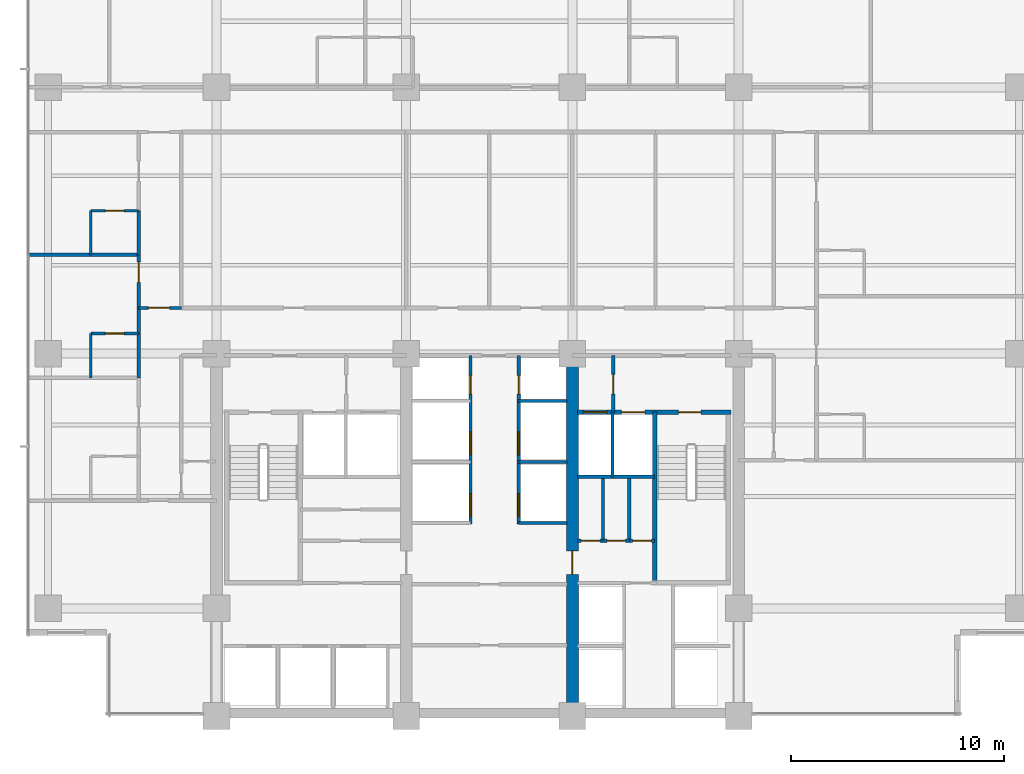
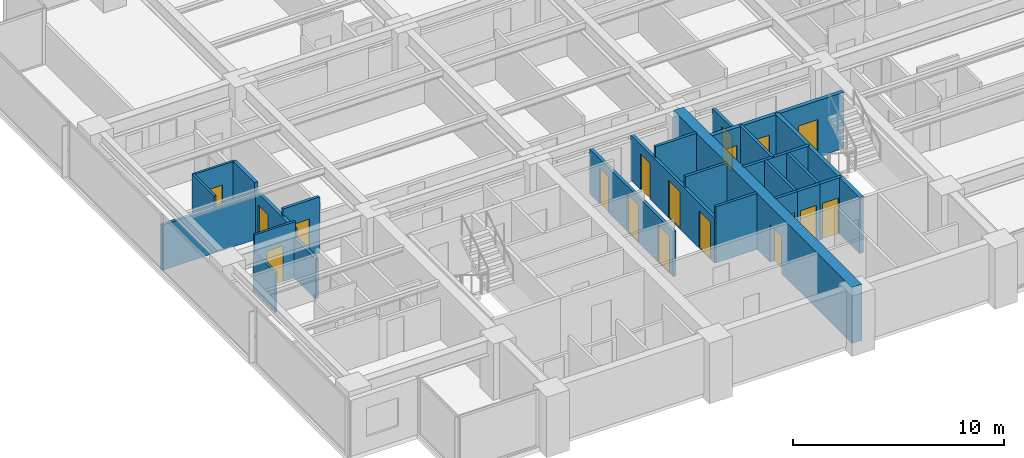
# One storey, part 9 of 17: 25 walls, 18 doors, 18 openings.
"""IFC4 building model written with IfcOpenShell, lengths in metres."""

import ifcopenshell
import ifcopenshell.guid

model = None  # the IFC model being written
_history = None  # IfcOwnerHistory: only IFC2X3 demands one
_inside = {}  # id of a spatial element -> (the spatial element, [elements in it])
_under = {}  # id of a project, library or spatial element -> (it, [spatial elements below it])
_declared = {}  # id of a project -> (the project, [libraries it declares])
_typed = {}  # id of a type object -> (the type object, [elements of that type])
_made_of = {}  # id of a material, layer set ... -> (it, [elements and type objects made of it])


def new_model(schema):
    """Start an empty IFC model of exactly this schema.

    Asked for "IFC4X3", IfcOpenShell would pick the latest addendum, in which some entities
    have other attributes; the version numbers below select the first issue.
    IFC2X3 requires an IfcOwnerHistory on every rooted entity: one is made here for all.
    """
    global model, _history
    if schema == "IFC4X3":
        model = ifcopenshell.file(schema_version=(4, 3, 0, 0))
    else:
        model = ifcopenshell.file(schema=schema)
    _inside.clear()
    _under.clear()
    _declared.clear()
    _typed.clear()
    _made_of.clear()
    _history = None
    if model.schema == "IFC2X3":
        org = make("IfcOrganization", Name="unknown")
        user = make(
            "IfcPersonAndOrganization",
            ThePerson=make("IfcPerson", FamilyName="unknown"),
            TheOrganization=org,
        )
        app = make(
            "IfcApplication",
            ApplicationDeveloper=org,
            Version="unknown",
            ApplicationFullName="unknown",
            ApplicationIdentifier="unknown",
        )
        _history = make(
            "IfcOwnerHistory",
            OwningUser=user,
            OwningApplication=app,
            ChangeAction="ADDED",
            CreationDate=0,
        )
    return model


def make(cls, **values):
    """One entity of the class cls with the attributes given. An attribute that is None is left unset."""
    return model.create_entity(
        cls, **{name: value for name, value in values.items() if value is not None}
    )


def rooted(cls, **values):
    """An entity with a GlobalId (a new one), such as an element, a storey or a relation."""
    return make(cls, GlobalId=ifcopenshell.guid.new(), OwnerHistory=_history, **values)


def si_unit(unit_type, name, prefix=None):
    """IfcSIUnit, for example si_unit("LENGTHUNIT", "METRE", prefix="MILLI")."""
    return make("IfcSIUnit", UnitType=unit_type, Prefix=prefix, Name=name)


def assignment(units):
    """IfcUnitAssignment: the units of a project."""
    return None if units is None else make("IfcUnitAssignment", Units=units)


def point(xyz):
    """IfcCartesianPoint."""
    return None if xyz is None else make("IfcCartesianPoint", Coordinates=xyz)


def direction(xyz):
    """IfcDirection."""
    return None if xyz is None else make("IfcDirection", DirectionRatios=xyz)


def frame(location, z_axis=None, x_axis=None):
    """IfcAxis2Placement3D, a coordinate frame: its origin and axes. An axis left out is left unset."""
    return make(
        "IfcAxis2Placement3D",
        Location=point(location),
        Axis=direction(z_axis),
        RefDirection=direction(x_axis),
    )


def frame_2d(location, x_axis=None):
    """IfcAxis2Placement2D, a coordinate frame in the plane: its origin and x axis."""
    return make(
        "IfcAxis2Placement2D", Location=point(location), RefDirection=direction(x_axis)
    )


def origin():
    """The frame at (0, 0, 0) with its axes left unset."""
    return frame((0.0, 0.0, 0.0))


def place(relative_to, where):
    """IfcLocalPlacement: puts the frame where relative to a parent placement (None: the world)."""
    return make(
        "IfcLocalPlacement", PlacementRelTo=relative_to, RelativePlacement=where
    )


def context(
    kind, dimensions, precision=None, world=None, true_north=None, identifier=None
):
    """IfcGeometricRepresentationContext, for example the 3D "Model" context."""
    return make(
        "IfcGeometricRepresentationContext",
        ContextIdentifier=identifier,
        ContextType=kind,
        CoordinateSpaceDimension=dimensions,
        Precision=precision,
        WorldCoordinateSystem=world,
        TrueNorth=true_north,
    )


def subcontext(parent, identifier, kind, view, scale=None):
    """IfcGeometricRepresentationSubContext, for example "Body" below "Model"."""
    return make(
        "IfcGeometricRepresentationSubContext",
        ContextIdentifier=identifier,
        ContextType=kind,
        ParentContext=parent,
        TargetScale=scale,
        TargetView=view,
    )


def project(units=None, contexts=None):
    """IfcProject with its units and contexts."""
    return rooted(
        "IfcProject",
        Name="project",
        RepresentationContexts=contexts,
        UnitsInContext=assignment(units),
    )


def spatial(cls, under=None, at=None, **own):
    """A site, building, storey or space (cls), placed at a placement, below another one or the project."""
    s = rooted(cls, ObjectPlacement=at, **own)
    if under is not None:
        _under.setdefault(under.id(), (under, []))[1].append(s)
    return s


def profile(cls, at=None, kind="AREA", **sizes):
    """A parametric profile (cls). Its sizes go by their IFC names, for example OverallWidth=200.0."""
    return make(cls, ProfileType=kind, Position=at, **sizes)


def rectangle(**sizes):
    """IfcRectangleProfileDef."""
    return profile("IfcRectangleProfileDef", **sizes)


def extrude(swept, where, along, depth):
    """IfcExtrudedAreaSolid: the profile swept, set in the frame where, extruded along a direction by depth."""
    return make(
        "IfcExtrudedAreaSolid",
        SweptArea=swept,
        Position=where,
        ExtrudedDirection=direction(along),
        Depth=depth,
    )


def shape(context_of_items, identifier, shape_type, items):
    """IfcShapeRepresentation: the items that make up one representation, for example the "Body"."""
    return make(
        "IfcShapeRepresentation",
        ContextOfItems=context_of_items,
        RepresentationIdentifier=identifier,
        RepresentationType=shape_type,
        Items=items,
    )


def material(Name=None, Category=None):
    """IfcMaterial."""
    return make("IfcMaterial", Name=Name, Category=Category)


def layer(
    of_material, thickness, ventilated=None, Name=None, Category=None, Priority=None
):
    """IfcMaterialLayer: one layer of a wall or slab, of a material (None: an air gap)."""
    return make(
        "IfcMaterialLayer",
        Material=of_material,
        LayerThickness=thickness,
        IsVentilated=ventilated,
        Name=Name,
        Category=Category,
        Priority=Priority,
    )


def layer_set(layers, Name=None):
    """IfcMaterialLayerSet."""
    return make("IfcMaterialLayerSet", MaterialLayers=layers, LayerSetName=Name)


def made_of(thing, what):
    """Note that an element or type object is made of a material, layer set ...; save() writes the relation."""
    if what is not None:
        _made_of.setdefault(what.id(), (what, []))[1].append(thing)
    return thing


def type_object(cls, material=None, **own):
    """A type object (cls), such as IfcWallType, which elements share."""
    return made_of(rooted(cls, **own), material)


def element(
    cls,
    number,
    at=None,
    inside=None,
    cuts=None,
    type_object=None,
    material=None,
    context=None,
    identifier="Body",
    shape_type=None,
    held_by="IfcProductDefinitionShape",
    body=None,
    shapes=None,
    **own,
):
    """One element of the class cls, such as IfcWall. Its Tag is "e" and its number.

    at: its placement. inside: the storey or other place that contains it. cuts: it is an
    opening in that element (IfcRelVoidsElement). A single representation is given by context,
    identifier, shape_type and body (its items); several are given by shapes. held_by: the class
    of the entity that holds the representations. save() writes the other relations.
    """
    e = rooted(cls, Tag="e%d" % number, ObjectPlacement=at, **own)
    if body is not None:
        shapes = [shape(context, identifier, shape_type, body)]
    if shapes is not None:
        e.Representation = make(held_by, Representations=shapes)
    if inside is not None:
        _inside.setdefault(inside.id(), (inside, []))[1].append(e)
    if cuts is not None:
        rooted(
            "IfcRelVoidsElement", RelatingBuildingElement=cuts, RelatedOpeningElement=e
        )
    if type_object is not None:
        _typed.setdefault(type_object.id(), (type_object, []))[1].append(e)
    return made_of(e, material)


def fill(opening, filler):
    """IfcRelFillsElement: the door or window that sits in an opening."""
    return rooted(
        "IfcRelFillsElement",
        RelatingOpeningElement=opening,
        RelatedBuildingElement=filler,
    )


def aggregate(whole, parts):
    """IfcRelAggregates: a whole, such as a stair, and the parts it consists of."""
    return rooted("IfcRelAggregates", RelatingObject=whole, RelatedObjects=parts)


def save(model, path):
    """Write the relations noted so far, then the file.

    IfcRelAggregates (storeys below a building ...), IfcRelContainedInSpatialStructure (elements
    in a storey), IfcRelDefinesByType, IfcRelAssociatesMaterial and IfcRelDeclares: one each for
    every whole, place, type object, material and project.
    """
    for whole, parts in _under.values():
        aggregate(whole, parts)
    for where, things in _inside.values():
        rooted(
            "IfcRelContainedInSpatialStructure",
            RelatedElements=things,
            RelatingStructure=where,
        )
    for kind, things in _typed.values():
        rooted("IfcRelDefinesByType", RelatedObjects=things, RelatingType=kind)
    for what, things in _made_of.values():
        rooted("IfcRelAssociatesMaterial", RelatedObjects=things, RelatingMaterial=what)
    for by, libraries in _declared.values():
        rooted("IfcRelDeclares", RelatingContext=by, RelatedDefinitions=libraries)
    model.write(path)


model = new_model("IFC4")

# Units and contexts
model_context = context("Model", 3, precision=1e-05, world=origin(), true_north=direction((0.0, 1.0)))
body_context = subcontext(model_context, "Body", "Model", "MODEL_VIEW")
ifc_project = project(units=[si_unit("LENGTHUNIT", "METRE"), si_unit("AREAUNIT", "SQUARE_METRE"), si_unit("VOLUMEUNIT", "CUBIC_METRE"), si_unit("PLANEANGLEUNIT", "RADIAN"), si_unit("MASSUNIT", "GRAM", prefix="KILO")], contexts=[model_context])

# Site, building, storey
site_placement = place(None, origin())
site = spatial("IfcSite", under=ifc_project, at=site_placement, CompositionType="ELEMENT")
building_placement = place(site_placement, origin())
building = spatial("IfcBuilding", under=site, at=building_placement, Name="Qalmaran Belvedere Hotel", CompositionType="ELEMENT")
storey_placement = place(building_placement, frame((0.0, 0.0, 116.199951171875)))
storey = spatial("IfcBuildingStorey", under=building, at=storey_placement, Name="L29", CompositionType="ELEMENT", Elevation=116.199951171875)

# Wall, opening, door
ifc_material_1 = material(Name="Concrete C60/75", Category="concrete")
ifc_layer_1 = layer(ifc_material_1, 0.550048828125, Name="Concrete C60/75")
ifc_layer_set_1 = layer_set([ifc_layer_1], Name="Concrete C60/75")
wall_type_1 = type_object("IfcWallType", Name="WL-CORE-550-C60", PredefinedType="SHEAR", material=ifc_layer_set_1)
wall_1_placement = place(storey_placement, frame((37.0, 3.5, 0.0), z_axis=(0.0, 0.0, 1.0), x_axis=(0.0, 1.0, 0.0)))
wall_1 = element("IfcWall", 1, at=wall_1_placement, inside=storey, type_object=wall_type_1, Name="L29 Core East Spine Shear Wall", PredefinedType="SHEAR", context=body_context, shape_type="SweptSolid", body=[
    extrude(rectangle(XDim=16.89990234375, YDim=0.550048828125, at=frame_2d((8.449951171875, 0.0))), origin(), (0.0, 0.0, 1.0), 3.239990234375),
])
opening_1_placement = place(wall_1_placement, frame((6.64990234375, 0.0, 0.0)))
opening_1 = element("IfcOpeningElement", 2, at=opening_1_placement, cuts=wall_1, Name="Opening FD90", PredefinedType="OPENING", context=body_context, shape_type="SweptSolid", body=[
    extrude(rectangle(XDim=1.10009765625, YDim=2.14990234375, at=frame_2d((0.550048828125, 1.074951171875))), frame((0.0, 0.28515625, 0.0), z_axis=(0.0, -1.0, 0.0), x_axis=(1.0, 0.0, 0.0)), (0.0, 0.0, 1.0), 0.570068359375),
])
ifc_material_2 = material(Name="Steel S355JR", Category="steel")
door_type_1 = type_object("IfcDoorType", Name="DR-FD90-1100X2150", OperationType="NOTDEFINED", PredefinedType="DOOR", material=ifc_material_2)
door_1_placement = place(opening_1_placement, origin())
door_1 = element("IfcDoor", 3, at=door_1_placement, inside=storey, type_object=door_type_1, Name="L29 Core East Cross-Lobby Door", OperationType="SINGLE_SWING_RIGHT", OverallHeight=2.14990234375, OverallWidth=1.10009765625, PredefinedType="DOOR", context=body_context, shape_type="SweptSolid", body=[
    extrude(rectangle(XDim=1.10009765625, YDim=2.14990234375, at=frame_2d((0.550048828125, 1.074951171875))), frame((0.0, 0.02490234375, 0.0), z_axis=(0.0, -1.0, 0.0), x_axis=(1.0, 0.0, 0.0)), (0.0, 0.0, 1.0), 0.050048828125),
])
fill(opening_1, door_1)

ifc_material_3 = material(Name="Moisture-Resistant Gypsum")
ifc_layer_2 = layer(ifc_material_3, 0.1201171875, Name="Moisture-Resistant Gypsum")
ifc_layer_set_2 = layer_set([ifc_layer_2], Name="Moisture-Resistant Gypsum")
wall_type_2 = type_object("IfcWallType", Name="WL-INT-120-BATH", PredefinedType="PARTITIONING", material=ifc_layer_set_2)
wall_2_placement = place(storey_placement, frame((14.39990234375, 21.44677734375, 0.0), z_axis=(0.0, 0.0, 1.0), x_axis=(1.0, 0.0, 0.0)))
wall_2 = element("IfcWall", 4, at=wall_2_placement, inside=storey, type_object=wall_type_2, Name="L29 Partition WL-L29-WBN01", PredefinedType="PARTITIONING", context=body_context, shape_type="SweptSolid", body=[
    extrude(rectangle(XDim=2.25, YDim=0.1201171875, at=frame_2d((1.125, 0.0))), origin(), (0.0, 0.0, 1.0), 3.239990234375),
])
opening_2_placement = place(wall_2_placement, frame((1.56494140625, 0.0, 0.0), z_axis=(0.0, 0.0, 1.0), x_axis=(-1.0, 0.0, 0.0)))
opening_2 = element("IfcOpeningElement", 5, at=opening_2_placement, cuts=wall_2, Name="Opening D-BATH", PredefinedType="OPENING", context=body_context, shape_type="SweptSolid", body=[
    extrude(rectangle(XDim=0.8798828125, YDim=2.080078125, at=frame_2d((0.43994140625, 1.0400390625))), frame((0.0, 0.070068359375, 0.0), z_axis=(0.0, -1.0, 0.0), x_axis=(1.0, 0.0, 0.0)), (0.0, 0.0, 1.0), 0.14013671875),
])
ifc_material_4 = material(Name="Engineered Oak Veneer")
door_type_2 = type_object("IfcDoorType", Name="DR-INT-BATH-880X2080", OperationType="NOTDEFINED", PredefinedType="DOOR", material=ifc_material_4)
door_2_placement = place(opening_2_placement, origin())
door_2 = element("IfcDoor", 6, at=door_2_placement, inside=storey, type_object=door_type_2, Name="L29 W Ensuite Door 02", OperationType="SINGLE_SWING_RIGHT", OverallHeight=2.080078125, OverallWidth=0.8798828125, PredefinedType="DOOR", context=body_context, shape_type="SweptSolid", body=[
    extrude(rectangle(XDim=0.8798828125, YDim=2.080078125, at=frame_2d((0.43994140625, 1.0400390625))), frame((0.0, 0.02490234375, 0.0), z_axis=(0.0, -1.0, 0.0), x_axis=(1.0, 0.0, 0.0)), (0.0, 0.0, 1.0), 0.050048828125),
])
fill(opening_2, door_2)

# Wall
wall_3_placement = place(storey_placement, frame((14.39990234375, 19.36669921875, 0.0), z_axis=(0.0, 0.0, 1.0), x_axis=(0.0, 1.0, 0.0)))
element("IfcWall", 7, at=wall_3_placement, inside=storey, type_object=wall_type_2, Name="L29 Partition WL-L29-WBS01", PredefinedType="PARTITIONING", context=body_context, shape_type="SweptSolid", body=[
    extrude(rectangle(XDim=2.080078125, YDim=0.1201171875, at=frame_2d((1.0400390625, 0.0))), origin(), (0.0, 0.0, 1.0), 2.31298828125),
])

# Wall, opening, door
wall_4_placement = place(storey_placement, frame((14.39990234375, 27.21337890625, 0.0), z_axis=(0.0, 0.0, 1.0), x_axis=(1.0, 0.0, 0.0)))
wall_4 = element("IfcWall", 8, at=wall_4_placement, inside=storey, type_object=wall_type_2, Name="L29 Partition WL-L29-WBN02", PredefinedType="PARTITIONING", context=body_context, shape_type="SweptSolid", body=[
    extrude(rectangle(XDim=2.25, YDim=0.1201171875, at=frame_2d((1.125, 0.0))), origin(), (0.0, 0.0, 1.0), 3.239990234375),
])
opening_3_placement = place(wall_4_placement, frame((1.56494140625, 0.0, 0.0), z_axis=(0.0, 0.0, 1.0), x_axis=(-1.0, 0.0, 0.0)))
opening_3 = element("IfcOpeningElement", 9, at=opening_3_placement, cuts=wall_4, Name="Opening D-BATH", PredefinedType="OPENING", context=body_context, shape_type="SweptSolid", body=[
    extrude(rectangle(XDim=0.8798828125, YDim=2.080078125, at=frame_2d((0.43994140625, 1.0400390625))), frame((0.0, 0.070068359375, 0.0), z_axis=(0.0, -1.0, 0.0), x_axis=(1.0, 0.0, 0.0)), (0.0, 0.0, 1.0), 0.14013671875),
])
door_3_placement = place(opening_3_placement, origin())
door_3 = element("IfcDoor", 10, at=door_3_placement, inside=storey, type_object=door_type_2, Name="L29 W Ensuite Door 03", OperationType="SINGLE_SWING_RIGHT", OverallHeight=2.080078125, OverallWidth=0.8798828125, PredefinedType="DOOR", context=body_context, shape_type="SweptSolid", body=[
    extrude(rectangle(XDim=0.8798828125, YDim=2.080078125, at=frame_2d((0.43994140625, 1.0400390625))), frame((0.0, 0.02490234375, 0.0), z_axis=(0.0, -1.0, 0.0), x_axis=(1.0, 0.0, 0.0)), (0.0, 0.0, 1.0), 0.050048828125),
])
fill(opening_3, door_3)

# Walls
wall_5_placement = place(storey_placement, frame((14.39990234375, 25.13330078125, 0.0), z_axis=(0.0, 0.0, 1.0), x_axis=(0.0, 1.0, 0.0)))
element("IfcWall", 11, at=wall_5_placement, inside=storey, type_object=wall_type_2, Name="L29 Partition WL-L29-WBS02", PredefinedType="PARTITIONING", context=body_context, shape_type="SweptSolid", body=[
    extrude(rectangle(XDim=2.080078125, YDim=0.1201171875, at=frame_2d((1.0400390625, 0.0))), origin(), (0.0, 0.0, 1.0), 3.239990234375),
])
ifc_material_5 = material(Name="Gypsum Stud Partition")
ifc_layer_3 = layer(ifc_material_5, 0.14990234375, Name="Gypsum Stud Partition")
ifc_layer_set_3 = layer_set([ifc_layer_3], Name="Gypsum Stud Partition")
wall_type_3 = type_object("IfcWallType", Name="WL-INT-150-EI120", PredefinedType="PARTITIONING", material=ifc_layer_set_3)
wall_6_placement = place(storey_placement, frame((38.8798828125, 14.719970703125, 0.0), z_axis=(0.0, 0.0, 1.0), x_axis=(0.0, 1.0, 0.0)))
element("IfcWall", 12, at=wall_6_placement, inside=storey, type_object=wall_type_3, Name="L29 Partition WL-FF2M-L29", PredefinedType="PARTITIONING", context=body_context, shape_type="SweptSolid", body=[
    extrude(rectangle(XDim=3.0400390625, YDim=0.14990234375, at=frame_2d((1.52001953125, 0.0))), origin(), (0.0, 0.0, 1.0), 3.239990234375),
])
for number, where, z_axis, x_axis, name in (
    (13, (34.47998046875, 12.550048828125, 0.0), (0.0, 0.0, 1.0), (1.0, 0.0, 0.0), "L29 Partition WL-PME-L29-125"),
    (14, (34.47998046875, 15.419921875, 0.0), (0.0, 0.0, 1.0), (1.0, 0.0, 0.0), "L29 Partition WL-PME-L29-154"),
    (15, (34.47998046875, 18.280029296875, 0.0), (0.0, 0.0, 1.0), (1.0, 0.0, 0.0), "L29 Partition WL-PME-L29-182"),
):
    element("IfcWall", number, at=place(storey_placement, frame(where, z_axis=z_axis, x_axis=x_axis)), inside=storey, type_object=wall_type_3, Name=name, PredefinedType="PARTITIONING", context=body_context, shape_type="SweptSolid", body=[
        extrude(rectangle(XDim=2.27001953125, YDim=0.14990234375, at=frame_2d((1.135009765625, 0.0))), origin(), (0.0, 0.0, 1.0), 3.239990234375),
    ])
ifc_layer_4 = layer(ifc_material_5, 0.14990234375, Name="Gypsum Stud Partition")
ifc_layer_set_4 = layer_set([ifc_layer_4], Name="Gypsum Stud Partition")
wall_type_4 = type_object("IfcWallType", Name="WL-INT-150-EI60", PredefinedType="PARTITIONING", material=ifc_layer_set_4)
for number, where, z_axis, x_axis, name in (
    (16, (38.44140625, 11.719970703125, 0.0), (0.0, 0.0, 1.0), (0.0, 1.0, 0.0), "L29 Partition WL-L29-KEV1"),
    (17, (39.668701171875, 11.719970703125, 0.0), (0.0, 0.0, 1.0), (0.0, 1.0, 0.0), "L29 Partition WL-L29-KEV2"),
):
    element("IfcWall", number, at=place(storey_placement, frame(where, z_axis=z_axis, x_axis=x_axis)), inside=storey, type_object=wall_type_4, Name=name, PredefinedType="PARTITIONING", context=body_context, shape_type="SweptSolid", body=[
        extrude(rectangle(XDim=2.929931640625, YDim=0.14990234375, at=frame_2d((1.46484375, 0.0))), origin(), (0.0, 0.0, 1.0), 3.239990234375),
    ])

# Wall, opening, door
wall_7_placement = place(storey_placement, frame((16.64990234375, 22.64990234375, 0.0), z_axis=(0.0, 0.0, 1.0), x_axis=(1.0, 0.0, 0.0)))
wall_7 = element("IfcWall", 18, at=wall_7_placement, inside=storey, type_object=wall_type_4, Name="L29 Partition WL-L29-XCW1", PredefinedType="PARTITIONING", context=body_context, shape_type="SweptSolid", body=[
    extrude(rectangle(XDim=2.0, YDim=0.14990234375, at=frame_2d((1.0, 0.0))), origin(), (0.0, 0.0, 1.0), 3.239990234375),
])
opening_4_placement = place(wall_7_placement, frame((0.449951171875, 0.0, 0.0)))
opening_4 = element("IfcOpeningElement", 19, at=opening_4_placement, cuts=wall_7, Name="Opening FD90B", PredefinedType="OPENING", context=body_context, shape_type="SweptSolid", body=[
    extrude(rectangle(XDim=1.0, YDim=2.14990234375, at=frame_2d((0.5, 1.074951171875))), frame((0.0, 0.0849609375, 0.0), z_axis=(0.0, -1.0, 0.0), x_axis=(1.0, 0.0, 0.0)), (0.0, 0.0, 1.0), 0.169921875),
])
door_type_3 = type_object("IfcDoorType", Name="DR-FD90B-1000X2150", OperationType="NOTDEFINED", PredefinedType="DOOR", material=ifc_material_2)
door_4_placement = place(opening_4_placement, origin())
door_4 = element("IfcDoor", 20, at=door_4_placement, inside=storey, type_object=door_type_3, Name="L29 West Corridor Smoke Door S", OperationType="SINGLE_SWING_LEFT", OverallHeight=2.14990234375, OverallWidth=1.0, PredefinedType="DOOR", context=body_context, shape_type="SweptSolid", body=[
    extrude(rectangle(XDim=1.0, YDim=2.14990234375, at=frame_2d((0.5, 1.074951171875))), frame((0.0, 0.02490234375, 0.0), z_axis=(0.0, -1.0, 0.0), x_axis=(1.0, 0.0, 0.0)), (0.0, 0.0, 1.0), 0.050048828125),
])
fill(opening_4, door_4)

ifc_layer_5 = layer(ifc_material_5, 0.159912109375, Name="Gypsum Stud Partition")
ifc_layer_set_5 = layer_set([ifc_layer_5], Name="Gypsum Stud Partition")
wall_type_5 = type_object("IfcWallType", Name="WL-INT-160-EI120", PredefinedType="PARTITIONING", material=ifc_layer_set_5)
wall_8_placement = place(storey_placement, frame((38.919921875, 17.760009765625, 0.0), z_axis=(0.0, 0.0, 1.0), x_axis=(0.0, 1.0, 0.0)))
wall_8 = element("IfcWall", 21, at=wall_8_placement, inside=storey, type_object=wall_type_5, Name="L29 Partition WL-FFSV2-L29", PredefinedType="PARTITIONING", context=body_context, shape_type="SweptSolid", body=[
    extrude(rectangle(XDim=2.659912109375, YDim=0.159912109375, at=frame_2d((1.330078125, 0.0))), origin(), (0.0, 0.0, 1.0), 2.614013671875),
])
opening_5_placement = place(wall_8_placement, frame((1.77001953125, 0.0, 0.0), z_axis=(0.0, 0.0, 1.0), x_axis=(-1.0, 0.0, 0.0)))
opening_5 = element("IfcOpeningElement", 22, at=opening_5_placement, cuts=wall_8, Name="Opening FD60S1", PredefinedType="OPENING", context=body_context, shape_type="SweptSolid", body=[
    extrude(rectangle(XDim=0.919921875, YDim=2.080078125, at=frame_2d((0.4599609375, 1.0400390625))), frame((0.0, 0.08984375, 0.0), z_axis=(0.0, -1.0, 0.0), x_axis=(1.0, 0.0, 0.0)), (0.0, 0.0, 1.0), 0.179931640625),
])
door_type_4 = type_object("IfcDoorType", Name="DR-FD60S-920X2080", OperationType="NOTDEFINED", PredefinedType="DOOR", material=ifc_material_4)
door_5_placement = place(opening_5_placement, origin())
door_5 = element("IfcDoor", 23, at=door_5_placement, inside=storey, type_object=door_type_4, Name="L29 Service Lobby East Door", OperationType="SINGLE_SWING_RIGHT", OverallHeight=2.080078125, OverallWidth=0.919921875, PredefinedType="DOOR", context=body_context, shape_type="SweptSolid", body=[
    extrude(rectangle(XDim=0.919921875, YDim=2.080078125, at=frame_2d((0.4599609375, 1.0400390625))), frame((0.0, 0.02490234375, 0.0), z_axis=(0.0, -1.0, 0.0), x_axis=(1.0, 0.0, 0.0)), (0.0, 0.0, 1.0), 0.050048828125),
])
fill(opening_5, door_5)

# Wall
wall_9_placement = place(storey_placement, frame((37.25, 14.719970703125, 0.0), z_axis=(0.0, 0.0, 1.0), x_axis=(1.0, 0.0, 0.0)))
element("IfcWall", 24, at=wall_9_placement, inside=storey, type_object=wall_type_5, Name="L29 Partition WL-FF2S-L29", PredefinedType="PARTITIONING", context=body_context, shape_type="SweptSolid", body=[
    extrude(rectangle(XDim=3.610107421875, YDim=0.159912109375, at=frame_2d((1.80517578125, 0.0))), origin(), (0.0, 0.0, 1.0), 3.239990234375),
])

# Wall, openings, doors
wall_10_placement = place(storey_placement, frame((32.219970703125, 12.5, 0.0), z_axis=(0.0, 0.0, 1.0), x_axis=(0.0, 1.0, 0.0)))
wall_10 = element("IfcWall", 25, at=wall_10_placement, inside=storey, type_object=wall_type_5, Name="L29 Partition WL-CLBWN-L29", PredefinedType="PARTITIONING", context=body_context, shape_type="SweptSolid", body=[
    extrude(rectangle(XDim=7.919921875, YDim=0.159912109375, at=frame_2d((3.9599609375, 0.0))), origin(), (0.0, 0.0, 1.0), 2.614013671875),
])
opening_6_placement = place(wall_10_placement, frame((1.43017578125, 0.0, 0.0), z_axis=(0.0, 0.0, 1.0), x_axis=(-1.0, 0.0, 0.0)))
opening_6 = element("IfcOpeningElement", 26, at=opening_6_placement, cuts=wall_10, Name="Opening LD-P1", PredefinedType="OPENING", context=body_context, shape_type="SweptSolid", body=[
    extrude(rectangle(XDim=1.080078125, YDim=2.159912109375, at=frame_2d((0.5400390625, 1.080078125))), frame((0.0, 0.08984375, 0.0), z_axis=(0.0, -1.0, 0.0), x_axis=(1.0, 0.0, 0.0)), (0.0, 0.0, 1.0), 0.179931640625),
])
opening_7_placement = place(wall_10_placement, frame((4.330078125, 0.0, 0.0), z_axis=(0.0, 0.0, 1.0), x_axis=(-1.0, 0.0, 0.0)))
opening_7 = element("IfcOpeningElement", 27, at=opening_7_placement, cuts=wall_10, Name="Opening LD-P1", PredefinedType="OPENING", context=body_context, shape_type="SweptSolid", body=[
    extrude(rectangle(XDim=1.080078125, YDim=2.159912109375, at=frame_2d((0.5400390625, 1.080078125))), frame((0.0, 0.08984375, 0.0), z_axis=(0.0, -1.0, 0.0), x_axis=(1.0, 0.0, 0.0)), (0.0, 0.0, 1.0), 0.179931640625),
])
opening_8_placement = place(wall_10_placement, frame((6.10009765625, 0.0, 0.0)))
opening_8 = element("IfcOpeningElement", 28, at=opening_8_placement, cuts=wall_10, Name="Opening FD60B", PredefinedType="OPENING", context=body_context, shape_type="SweptSolid", body=[
    extrude(rectangle(XDim=0.8798828125, YDim=2.080078125, at=frame_2d((0.43994140625, 1.0400390625))), frame((0.0, 0.08984375, 0.0), z_axis=(0.0, -1.0, 0.0), x_axis=(1.0, 0.0, 0.0)), (0.0, 0.0, 1.0), 0.179931640625),
])
door_type_5 = type_object("IfcDoorType", Name="DR-FD60B-880X2080", OperationType="NOTDEFINED", PredefinedType="DOOR", material=ifc_material_2)
door_6_placement = place(opening_8_placement, origin())
door_6 = element("IfcDoor", 29, at=door_6_placement, inside=storey, type_object=door_type_5, Name="L29 West Riser Access Door", OperationType="SINGLE_SWING_LEFT", OverallHeight=2.080078125, OverallWidth=0.8798828125, PredefinedType="DOOR", context=body_context, shape_type="SweptSolid", body=[
    extrude(rectangle(XDim=0.8798828125, YDim=2.080078125, at=frame_2d((0.43994140625, 1.0400390625))), frame((0.0, 0.02490234375, 0.0), z_axis=(0.0, -1.0, 0.0), x_axis=(1.0, 0.0, 0.0)), (0.0, 0.0, 1.0), 0.050048828125),
])
fill(opening_8, door_6)
ifc_material_6 = material(Name="Stainless Steel 1.4401", Category="steel")
door_type_6 = type_object("IfcDoorType", Name="DR-LIFT-P1-1080X2160", OperationType="DOUBLE_DOOR_SLIDING", PredefinedType="DOOR", material=ifc_material_6)
door_7_placement = place(opening_6_placement, origin())
door_7 = element("IfcDoor", 30, at=door_7_placement, inside=storey, type_object=door_type_6, Name="L29 PM1 Lift Landing Door", OperationType="DOUBLE_DOOR_SLIDING", OverallHeight=2.159912109375, OverallWidth=1.080078125, PredefinedType="DOOR", context=body_context, shape_type="SweptSolid", body=[
    extrude(rectangle(XDim=1.080078125, YDim=2.159912109375, at=frame_2d((0.5400390625, 1.080078125))), frame((0.0, 0.02490234375, 0.0), z_axis=(0.0, -1.0, 0.0), x_axis=(1.0, 0.0, 0.0)), (0.0, 0.0, 1.0), 0.050048828125),
])
fill(opening_6, door_7)
door_8_placement = place(opening_7_placement, origin())
door_8 = element("IfcDoor", 31, at=door_8_placement, inside=storey, type_object=door_type_6, Name="L29 PM2 Lift Landing Door", OperationType="DOUBLE_DOOR_SLIDING", OverallHeight=2.159912109375, OverallWidth=1.080078125, PredefinedType="DOOR", context=body_context, shape_type="SweptSolid", body=[
    extrude(rectangle(XDim=1.080078125, YDim=2.159912109375, at=frame_2d((0.5400390625, 1.080078125))), frame((0.0, 0.02490234375, 0.0), z_axis=(0.0, -1.0, 0.0), x_axis=(1.0, 0.0, 0.0)), (0.0, 0.0, 1.0), 0.050048828125),
])
fill(opening_7, door_8)

wall_11_placement = place(storey_placement, frame((34.47998046875, 12.5, 0.0), z_axis=(0.0, 0.0, 1.0), x_axis=(0.0, 1.0, 0.0)))
wall_11 = element("IfcWall", 32, at=wall_11_placement, inside=storey, type_object=wall_type_5, Name="L29 Partition WL-CLBEN-L29", PredefinedType="PARTITIONING", context=body_context, shape_type="SweptSolid", body=[
    extrude(rectangle(XDim=7.919921875, YDim=0.159912109375, at=frame_2d((3.9599609375, 0.0))), origin(), (0.0, 0.0, 1.0), 2.614013671875),
])
opening_9_placement = place(wall_11_placement, frame((0.35009765625, 0.0, 0.0)))
opening_9 = element("IfcOpeningElement", 33, at=opening_9_placement, cuts=wall_11, Name="Opening LD-P1", PredefinedType="OPENING", context=body_context, shape_type="SweptSolid", body=[
    extrude(rectangle(XDim=1.080078125, YDim=2.159912109375, at=frame_2d((0.5400390625, 1.080078125))), frame((0.0, 0.08984375, 0.0), z_axis=(0.0, -1.0, 0.0), x_axis=(1.0, 0.0, 0.0)), (0.0, 0.0, 1.0), 0.179931640625),
])
opening_10_placement = place(wall_11_placement, frame((3.25, 0.0, 0.0)))
opening_10 = element("IfcOpeningElement", 34, at=opening_10_placement, cuts=wall_11, Name="Opening LD-P1", PredefinedType="OPENING", context=body_context, shape_type="SweptSolid", body=[
    extrude(rectangle(XDim=1.080078125, YDim=2.159912109375, at=frame_2d((0.5400390625, 1.080078125))), frame((0.0, 0.08984375, 0.0), z_axis=(0.0, -1.0, 0.0), x_axis=(1.0, 0.0, 0.0)), (0.0, 0.0, 1.0), 0.179931640625),
])
opening_11_placement = place(wall_11_placement, frame((6.97998046875, 0.0, 0.0), z_axis=(0.0, 0.0, 1.0), x_axis=(-1.0, 0.0, 0.0)))
opening_11 = element("IfcOpeningElement", 35, at=opening_11_placement, cuts=wall_11, Name="Opening FD60B", PredefinedType="OPENING", context=body_context, shape_type="SweptSolid", body=[
    extrude(rectangle(XDim=0.8798828125, YDim=2.080078125, at=frame_2d((0.43994140625, 1.0400390625))), frame((0.0, 0.08984375, 0.0), z_axis=(0.0, -1.0, 0.0), x_axis=(1.0, 0.0, 0.0)), (0.0, 0.0, 1.0), 0.179931640625),
])
door_9_placement = place(opening_11_placement, origin())
door_9 = element("IfcDoor", 36, at=door_9_placement, inside=storey, type_object=door_type_5, Name="L29 East Riser Access Door", OperationType="SINGLE_SWING_RIGHT", OverallHeight=2.080078125, OverallWidth=0.8798828125, PredefinedType="DOOR", context=body_context, shape_type="SweptSolid", body=[
    extrude(rectangle(XDim=0.8798828125, YDim=2.080078125, at=frame_2d((0.43994140625, 1.0400390625))), frame((0.0, 0.02490234375, 0.0), z_axis=(0.0, -1.0, 0.0), x_axis=(1.0, 0.0, 0.0)), (0.0, 0.0, 1.0), 0.050048828125),
])
fill(opening_11, door_9)
door_10_placement = place(opening_9_placement, origin())
door_10 = element("IfcDoor", 37, at=door_10_placement, inside=storey, type_object=door_type_6, Name="L29 PM3 Lift Landing Door", OperationType="DOUBLE_DOOR_SLIDING", OverallHeight=2.159912109375, OverallWidth=1.080078125, PredefinedType="DOOR", context=body_context, shape_type="SweptSolid", body=[
    extrude(rectangle(XDim=1.080078125, YDim=2.159912109375, at=frame_2d((0.5400390625, 1.080078125))), frame((0.0, 0.02490234375, 0.0), z_axis=(0.0, -1.0, 0.0), x_axis=(1.0, 0.0, 0.0)), (0.0, 0.0, 1.0), 0.050048828125),
])
fill(opening_9, door_10)
door_11_placement = place(opening_10_placement, origin())
door_11 = element("IfcDoor", 38, at=door_11_placement, inside=storey, type_object=door_type_6, Name="L29 PM4 Lift Landing Door", OperationType="DOUBLE_DOOR_SLIDING", OverallHeight=2.159912109375, OverallWidth=1.080078125, PredefinedType="DOOR", context=body_context, shape_type="SweptSolid", body=[
    extrude(rectangle(XDim=1.080078125, YDim=2.159912109375, at=frame_2d((0.5400390625, 1.080078125))), frame((0.0, 0.02490234375, 0.0), z_axis=(0.0, -1.0, 0.0), x_axis=(1.0, 0.0, 0.0)), (0.0, 0.0, 1.0), 0.050048828125),
])
fill(opening_10, door_11)

# Wall, opening, door
ifc_layer_6 = layer(ifc_material_5, 0.159912109375, Name="Gypsum Stud Partition")
ifc_layer_set_6 = layer_set([ifc_layer_6], Name="Gypsum Stud Partition")
wall_type_6 = type_object("IfcWallType", Name="WL-INT-160-EI60", PredefinedType="PARTITIONING", material=ifc_layer_set_6)
wall_12_placement = place(storey_placement, frame((37.25, 11.719970703125, 0.0), z_axis=(0.0, 0.0, 1.0), x_axis=(1.0, 0.0, 0.0)))
wall_12 = element("IfcWall", 39, at=wall_12_placement, inside=storey, type_object=wall_type_6, Name="L29 Partition WL-L29-KEE1", PredefinedType="PARTITIONING", context=body_context, shape_type="SweptSolid", body=[
    extrude(rectangle(XDim=1.19140625, YDim=0.159912109375, at=frame_2d((0.595703125, 0.0))), origin(), (0.0, 0.0, 1.0), 3.239990234375),
])
opening_12_placement = place(wall_12_placement, frame((0.155517578125, 0.0, 0.0)))
opening_12 = element("IfcOpeningElement", 40, at=opening_12_placement, cuts=wall_12, Name="Opening FD60B", PredefinedType="OPENING", context=body_context, shape_type="SweptSolid", body=[
    extrude(rectangle(XDim=0.8798828125, YDim=2.080078125, at=frame_2d((0.43994140625, 1.0400390625))), frame((0.0, 0.08984375, 0.0), z_axis=(0.0, -1.0, 0.0), x_axis=(1.0, 0.0, 0.0)), (0.0, 0.0, 1.0), 0.179931640625),
])
door_12_placement = place(opening_12_placement, origin())
door_12 = element("IfcDoor", 41, at=door_12_placement, inside=storey, type_object=door_type_5, Name="L29 Hotel Linen Closet Door", OperationType="SINGLE_SWING_RIGHT", OverallHeight=2.080078125, OverallWidth=0.8798828125, PredefinedType="DOOR", context=body_context, shape_type="SweptSolid", body=[
    extrude(rectangle(XDim=0.8798828125, YDim=2.080078125, at=frame_2d((0.43994140625, 1.0400390625))), frame((0.0, 0.02490234375, 0.0), z_axis=(0.0, -1.0, 0.0), x_axis=(1.0, 0.0, 0.0)), (0.0, 0.0, 1.0), 0.050048828125),
])
fill(opening_12, door_12)

wall_13_placement = place(storey_placement, frame((38.44140625, 11.719970703125, 0.0), z_axis=(0.0, 0.0, 1.0), x_axis=(1.0, 0.0, 0.0)))
wall_13 = element("IfcWall", 42, at=wall_13_placement, inside=storey, type_object=wall_type_6, Name="L29 Partition WL-L29-KEE2", PredefinedType="PARTITIONING", context=body_context, shape_type="SweptSolid", body=[
    extrude(rectangle(XDim=1.227294921875, YDim=0.159912109375, at=frame_2d((0.61376953125, 0.0))), origin(), (0.0, 0.0, 1.0), 3.239990234375),
])
opening_13_placement = place(wall_13_placement, frame((0.173583984375, 0.0, 0.0)))
opening_13 = element("IfcOpeningElement", 43, at=opening_13_placement, cuts=wall_13, Name="Opening FD60B", PredefinedType="OPENING", context=body_context, shape_type="SweptSolid", body=[
    extrude(rectangle(XDim=0.8798828125, YDim=2.080078125, at=frame_2d((0.43994140625, 1.0400390625))), frame((0.0, 0.08984375, 0.0), z_axis=(0.0, -1.0, 0.0), x_axis=(1.0, 0.0, 0.0)), (0.0, 0.0, 1.0), 0.179931640625),
])
door_13_placement = place(opening_13_placement, origin())
door_13 = element("IfcDoor", 44, at=door_13_placement, inside=storey, type_object=door_type_5, Name="L29 Guest Ice and Beverage Pantry Door", OperationType="SINGLE_SWING_LEFT", OverallHeight=2.080078125, OverallWidth=0.8798828125, PredefinedType="DOOR", context=body_context, shape_type="SweptSolid", body=[
    extrude(rectangle(XDim=0.8798828125, YDim=2.080078125, at=frame_2d((0.43994140625, 1.0400390625))), frame((0.0, 0.02490234375, 0.0), z_axis=(0.0, -1.0, 0.0), x_axis=(1.0, 0.0, 0.0)), (0.0, 0.0, 1.0), 0.050048828125),
])
fill(opening_13, door_13)

wall_14_placement = place(storey_placement, frame((39.668701171875, 11.719970703125, 0.0), z_axis=(0.0, 0.0, 1.0), x_axis=(1.0, 0.0, 0.0)))
wall_14 = element("IfcWall", 45, at=wall_14_placement, inside=storey, type_object=wall_type_6, Name="L29 Partition WL-L29-KEE3", PredefinedType="PARTITIONING", context=body_context, shape_type="SweptSolid", body=[
    extrude(rectangle(XDim=1.19140625, YDim=0.159912109375, at=frame_2d((0.595703125, 0.0))), origin(), (0.0, 0.0, 1.0), 3.239990234375),
])
opening_14_placement = place(wall_14_placement, frame((0.155517578125, 0.0, 0.0)))
opening_14 = element("IfcOpeningElement", 46, at=opening_14_placement, cuts=wall_14, Name="Opening FD60B", PredefinedType="OPENING", context=body_context, shape_type="SweptSolid", body=[
    extrude(rectangle(XDim=0.8798828125, YDim=2.080078125, at=frame_2d((0.43994140625, 1.0400390625))), frame((0.0, 0.08984375, 0.0), z_axis=(0.0, -1.0, 0.0), x_axis=(1.0, 0.0, 0.0)), (0.0, 0.0, 1.0), 0.179931640625),
])
door_14_placement = place(opening_14_placement, origin())
door_14 = element("IfcDoor", 47, at=door_14_placement, inside=storey, type_object=door_type_5, Name="L29 Cleaner Equipment Store Door", OperationType="SINGLE_SWING_RIGHT", OverallHeight=2.080078125, OverallWidth=0.8798828125, PredefinedType="DOOR", context=body_context, shape_type="SweptSolid", body=[
    extrude(rectangle(XDim=0.8798828125, YDim=2.080078125, at=frame_2d((0.43994140625, 1.0400390625))), frame((0.0, 0.02490234375, 0.0), z_axis=(0.0, -1.0, 0.0), x_axis=(1.0, 0.0, 0.0)), (0.0, 0.0, 1.0), 0.050048828125),
])
fill(opening_14, door_14)

# Walls
wall_15_placement = place(storey_placement, frame((11.469970703125, 25.13330078125, 0.0), z_axis=(0.0, 0.0, 1.0), x_axis=(1.0, 0.0, 0.0)))
element("IfcWall", 48, at=wall_15_placement, inside=storey, type_object=wall_type_6, Name="L29 Partition WL-L29-WU01", PredefinedType="PARTITIONING", context=body_context, shape_type="SweptSolid", body=[
    extrude(rectangle(XDim=5.179931640625, YDim=0.159912109375, at=frame_2d((2.58984375, 0.0))), origin(), (0.0, 0.0, 1.0), 2.60302734375),
])
ifc_layer_7 = layer(ifc_material_5, 0.179931640625, Name="Gypsum Stud Partition")
ifc_layer_set_7 = layer_set([ifc_layer_7], Name="Gypsum Stud Partition")
wall_type_7 = type_object("IfcWallType", Name="WL-INT-180-EI60", PredefinedType="PARTITIONING", material=ifc_layer_set_7)
wall_16_placement = place(storey_placement, frame((16.64990234375, 19.36669921875, 0.0), z_axis=(0.0, 0.0, 1.0), x_axis=(0.0, 1.0, 0.0)))
element("IfcWall", 49, at=wall_16_placement, inside=storey, type_object=wall_type_7, Name="L29 Partition WL-L29-WBC01", PredefinedType="PARTITIONING", context=body_context, shape_type="SweptSolid", body=[
    extrude(rectangle(XDim=2.080078125, YDim=0.179931640625, at=frame_2d((1.0400390625, 0.0))), origin(), (0.0, 0.0, 1.0), 2.31298828125),
])

# Wall, opening, door
wall_17_placement = place(storey_placement, frame((16.64990234375, 21.44677734375, 0.0), z_axis=(0.0, 0.0, 1.0), x_axis=(0.0, 1.0, 0.0)))
wall_17 = element("IfcWall", 50, at=wall_17_placement, inside=storey, type_object=wall_type_7, Name="L29 Partition WL-L29-WEC01", PredefinedType="PARTITIONING", context=body_context, shape_type="SweptSolid", body=[
    extrude(rectangle(XDim=3.6865234375, YDim=0.179931640625, at=frame_2d((1.84326171875, 0.0))), origin(), (0.0, 0.0, 1.0), 2.818115234375),
])
opening_15_placement = place(wall_17_placement, frame((2.40185546875, 0.0, 0.0)))
opening_15 = element("IfcOpeningElement", 51, at=opening_15_placement, cuts=wall_17, Name="Opening FD60", PredefinedType="OPENING", context=body_context, shape_type="SweptSolid", body=[
    extrude(rectangle(XDim=0.949951171875, YDim=2.14990234375, at=frame_2d((0.47509765625, 1.074951171875))), frame((0.0, 0.10009765625, 0.0), z_axis=(0.0, -1.0, 0.0), x_axis=(1.0, 0.0, 0.0)), (0.0, 0.0, 1.0), 0.199951171875),
])
door_type_7 = type_object("IfcDoorType", Name="DR-FD60-950X2150", OperationType="NOTDEFINED", PredefinedType="DOOR", material=ifc_material_4)
door_15_placement = place(opening_15_placement, origin())
door_15 = element("IfcDoor", 52, at=door_15_placement, inside=storey, type_object=door_type_7, Name="L29 W Wing Door 02", OperationType="SINGLE_SWING_LEFT", OverallHeight=2.14990234375, OverallWidth=0.949951171875, PredefinedType="DOOR", context=body_context, shape_type="SweptSolid", body=[
    extrude(rectangle(XDim=0.949951171875, YDim=2.14990234375, at=frame_2d((0.47509765625, 1.074951171875))), frame((0.0, 0.02490234375, 0.0), z_axis=(0.0, -1.0, 0.0), x_axis=(1.0, 0.0, 0.0)), (0.0, 0.0, 1.0), 0.050048828125),
])
fill(opening_15, door_15)

# Walls
wall_18_placement = place(storey_placement, frame((16.64990234375, 25.13330078125, 0.0), z_axis=(0.0, 0.0, 1.0), x_axis=(0.0, 1.0, 0.0)))
element("IfcWall", 53, at=wall_18_placement, inside=storey, type_object=wall_type_7, Name="L29 Partition WL-L29-WBC02", PredefinedType="PARTITIONING", context=body_context, shape_type="SweptSolid", body=[
    extrude(rectangle(XDim=2.080078125, YDim=0.179931640625, at=frame_2d((1.0400390625, 0.0))), origin(), (0.0, 0.0, 1.0), 3.239990234375),
])
ifc_material_7 = material(Name="Concrete C50/60", Category="concrete")
ifc_layer_8 = layer(ifc_material_7, 0.2099609375, Name="Concrete C50/60")
ifc_layer_set_8 = layer_set([ifc_layer_8], Name="Concrete C50/60")
wall_type_8 = type_object("IfcWallType", Name="WL-STAIR-210-C50", PredefinedType="SHEAR", material=ifc_layer_set_8)
wall_19_placement = place(storey_placement, frame((40.85498046875, 9.7451171875, 0.0), z_axis=(0.0, 0.0, 1.0), x_axis=(0.0, 1.0, 0.0)))
element("IfcWall", 54, at=wall_19_placement, inside=storey, type_object=wall_type_8, Name="L29 Stair ST-2 West Bearing Wall", PredefinedType="SHEAR", context=body_context, shape_type="SweptSolid", body=[
    extrude(rectangle(XDim=8.009765625, YDim=0.2099609375, at=frame_2d((4.0048828125, 0.0))), origin(), (0.0, 0.0, 1.0), 3.239990234375),
])

# Wall, openings, doors
wall_20_placement = place(storey_placement, frame((37.25, 17.7548828125, 0.0), z_axis=(0.0, 0.0, 1.0), x_axis=(1.0, 0.0, 0.0)))
wall_20 = element("IfcWall", 55, at=wall_20_placement, inside=storey, type_object=wall_type_8, Name="L29 East Lobby and Stair ST-2 North Bearing Wall", PredefinedType="SHEAR", context=body_context, shape_type="SweptSolid", body=[
    extrude(rectangle(XDim=7.199951171875, YDim=0.2099609375, at=frame_2d((3.60009765625, 0.0))), origin(), (0.0, 0.0, 1.0), 3.239990234375),
])
opening_16_placement = place(wall_20_placement, frame((0.25, 0.0, 0.0)))
opening_16 = element("IfcOpeningElement", 56, at=opening_16_placement, cuts=wall_20, Name="Opening LD-SV", PredefinedType="OPENING", context=body_context, shape_type="SweptSolid", body=[
    extrude(rectangle(XDim=1.1201171875, YDim=2.199951171875, at=frame_2d((0.56005859375, 1.10009765625))), frame((0.0, 0.114990234375, 0.0), z_axis=(0.0, -1.0, 0.0), x_axis=(1.0, 0.0, 0.0)), (0.0, 0.0, 1.0), 0.22998046875),
])
opening_17_placement = place(wall_20_placement, frame((2.050048828125, 0.0, 0.0)))
opening_17 = element("IfcOpeningElement", 57, at=opening_17_placement, cuts=wall_20, Name="Opening LD-FF", PredefinedType="OPENING", context=body_context, shape_type="SweptSolid", body=[
    extrude(rectangle(XDim=1.10009765625, YDim=2.179931640625, at=frame_2d((0.550048828125, 1.08984375))), frame((0.0, 0.114990234375, 0.0), z_axis=(0.0, -1.0, 0.0), x_axis=(1.0, 0.0, 0.0)), (0.0, 0.0, 1.0), 0.22998046875),
])
opening_18_placement = place(wall_20_placement, frame((5.780029296875, 0.0, 0.0), z_axis=(0.0, 0.0, 1.0), x_axis=(-1.0, 0.0, 0.0)))
opening_18 = element("IfcOpeningElement", 58, at=opening_18_placement, cuts=wall_20, Name="Opening FD90S2", PredefinedType="OPENING", context=body_context, shape_type="SweptSolid", body=[
    extrude(rectangle(XDim=1.050048828125, YDim=2.14990234375, at=frame_2d((0.52490234375, 1.074951171875))), frame((0.0, 0.114990234375, 0.0), z_axis=(0.0, -1.0, 0.0), x_axis=(1.0, 0.0, 0.0)), (0.0, 0.0, 1.0), 0.22998046875),
])
door_type_8 = type_object("IfcDoorType", Name="DR-FD90S-1050X2150", OperationType="NOTDEFINED", PredefinedType="DOOR", material=ifc_material_2)
door_16_placement = place(opening_18_placement, origin())
door_16 = element("IfcDoor", 59, at=door_16_placement, inside=storey, type_object=door_type_8, Name="L29 Stair ST-2 Door", OperationType="SINGLE_SWING_RIGHT", OverallHeight=2.14990234375, OverallWidth=1.050048828125, PredefinedType="DOOR", context=body_context, shape_type="SweptSolid", body=[
    extrude(rectangle(XDim=1.050048828125, YDim=2.14990234375, at=frame_2d((0.52490234375, 1.074951171875))), frame((0.0, 0.02490234375, 0.0), z_axis=(0.0, -1.0, 0.0), x_axis=(1.0, 0.0, 0.0)), (0.0, 0.0, 1.0), 0.050048828125),
])
fill(opening_18, door_16)
door_type_9 = type_object("IfcDoorType", Name="DR-LIFT-FF-1100X2180", OperationType="DOUBLE_DOOR_SLIDING", PredefinedType="DOOR", material=ifc_material_6)
door_17_placement = place(opening_17_placement, origin())
door_17 = element("IfcDoor", 60, at=door_17_placement, inside=storey, type_object=door_type_9, Name="L29 FF2 Lift Landing Door", OperationType="DOUBLE_DOOR_SLIDING", OverallHeight=2.179931640625, OverallWidth=1.10009765625, PredefinedType="DOOR", context=body_context, shape_type="SweptSolid", body=[
    extrude(rectangle(XDim=1.10009765625, YDim=2.179931640625, at=frame_2d((0.550048828125, 1.08984375))), frame((0.0, 0.02490234375, 0.0), z_axis=(0.0, -1.0, 0.0), x_axis=(1.0, 0.0, 0.0)), (0.0, 0.0, 1.0), 0.050048828125),
])
fill(opening_17, door_17)
door_type_10 = type_object("IfcDoorType", Name="DR-LIFT-SV-1120X2200", OperationType="DOUBLE_DOOR_SLIDING", PredefinedType="DOOR", material=ifc_material_6)
door_18_placement = place(opening_16_placement, origin())
door_18 = element("IfcDoor", 61, at=door_18_placement, inside=storey, type_object=door_type_10, Name="L29 SV2 Lift Landing Door", OperationType="DOUBLE_DOOR_SLIDING", OverallHeight=2.199951171875, OverallWidth=1.1201171875, PredefinedType="DOOR", context=body_context, shape_type="SweptSolid", body=[
    extrude(rectangle(XDim=1.1201171875, YDim=2.199951171875, at=frame_2d((0.56005859375, 1.10009765625))), frame((0.0, 0.02490234375, 0.0), z_axis=(0.0, -1.0, 0.0), x_axis=(1.0, 0.0, 0.0)), (0.0, 0.0, 1.0), 0.050048828125),
])
fill(opening_16, door_18)

save(model, "model.ifc")
